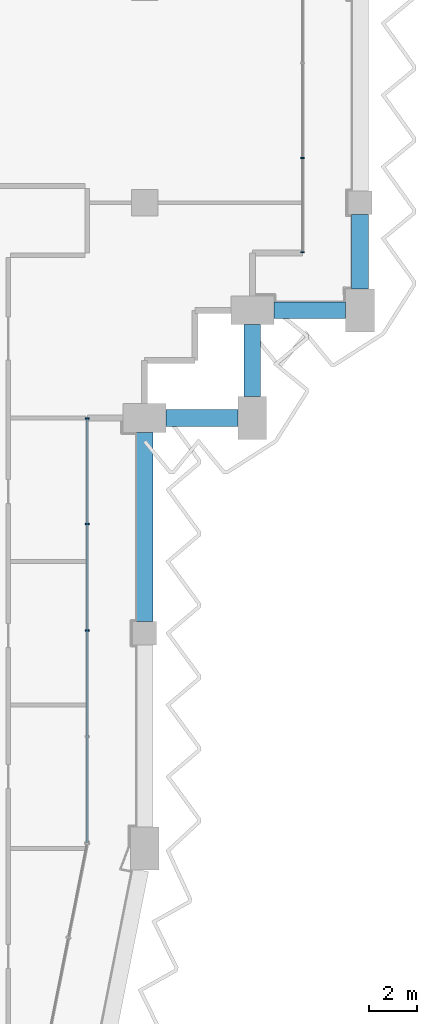
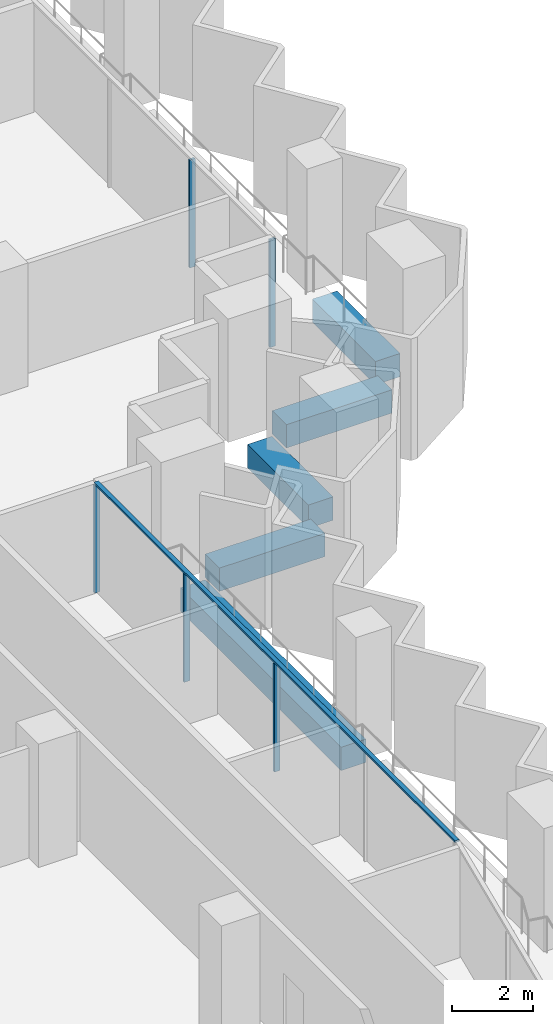
# One storey, part 4 of 17: 6 members, 5 beams, 2 elements without a shape of their own.
"""IFC4 building model written with IfcOpenShell, lengths in metres."""

from ifc_helpers import new_model, si_unit, direction, frame, origin, origin_2d, place, context, subcontext, project, spatial, rectangle, extrude, material, material_profile, profile_set, type_object, element, aggregate, save


model = new_model("IFC4")

# Units and contexts
model_context = context("Model", 3, precision=1e-05, world=origin(), true_north=direction((0.0, 1.0)))
body_context = subcontext(model_context, "Body", "Model", "MODEL_VIEW")
ifc_project = project(units=[si_unit("LENGTHUNIT", "METRE"), si_unit("AREAUNIT", "SQUARE_METRE"), si_unit("VOLUMEUNIT", "CUBIC_METRE"), si_unit("PLANEANGLEUNIT", "RADIAN"), si_unit("MASSUNIT", "GRAM", prefix="KILO")], contexts=[model_context])

# Site, building, storey
site_placement = place(None, origin())
site = spatial("IfcSite", under=ifc_project, at=site_placement, CompositionType="ELEMENT")
building_placement = place(site_placement, origin())
building = spatial("IfcBuilding", under=site, at=building_placement, Name="Hunhe Ridgeline Campus", CompositionType="ELEMENT")
storey_placement = place(building_placement, frame((0.0, 0.0, 201.300048828125)))
storey = spatial("IfcBuildingStorey", under=building, at=storey_placement, Name="L51", CompositionType="ELEMENT", Elevation=201.300048828125)

# Curtain wall, members
ifc_material_1 = material(Name="Aluminium 6063", Category="aluminium")
curtain_wall_type = type_object("IfcCurtainWallType", Name="Curtain wall CW-1", PredefinedType="NOTDEFINED", material=ifc_material_1)
curtain_wall_1_placement = place(storey_placement, origin())
curtain_wall_1 = element("IfcCurtainWall", 1, at=curtain_wall_1_placement, inside=storey, type_object=curtain_wall_type, Name="Curtain wall 11", PredefinedType="NOTDEFINED")
ifc_material_profile_1 = material_profile(ifc_material_1, rectangle(XDim=0.159912109375, YDim=0.06005859375, at=origin_2d()))
ifc_profile_set_1 = profile_set([ifc_material_profile_1], Name="Aluminium 6063")
member_type_1 = type_object("IfcMemberType", Name="CW-1 aluminium mullion", PredefinedType="MULLION", material=ifc_profile_set_1)
member_1_placement = place(storey_placement, frame((42.59912109375, 45.118408203125, 0.0), z_axis=(0.0, 0.0, 1.0), x_axis=(-0.999999999978, 6.642653e-06, 0.0)))
member_1 = element("IfcMember", 2, at=member_1_placement, type_object=member_type_1, Name="CW-1 mullion 3", PredefinedType="MULLION", context=body_context, shape_type="SweptSolid", body=[
    extrude(rectangle(XDim=0.159912109375, YDim=0.06005859375, at=origin_2d()), origin(), (0.0, 0.0, 1.0), 3.239990234375),
])
member_2_placement = place(storey_placement, frame((42.59912109375, 49.5595703125, 0.0), z_axis=(0.0, 0.0, 1.0), x_axis=(-0.999999999978, 6.642653e-06, 0.0)))
member_2 = element("IfcMember", 3, at=member_2_placement, type_object=member_type_1, Name="CW-1 mullion 4", PredefinedType="MULLION", context=body_context, shape_type="SweptSolid", body=[
    extrude(rectangle(XDim=0.159912109375, YDim=0.06005859375, at=origin_2d()), origin(), (0.0, 0.0, 1.0), 3.239990234375),
])
member_3_placement = place(storey_placement, frame((42.59912109375, 53.970458984375, 0.0), z_axis=(0.0, 0.0, 1.0), x_axis=(-0.999999999978, 6.642653e-06, 0.0)))
member_3 = element("IfcMember", 4, at=member_3_placement, type_object=member_type_1, Name="CW-1 mullion 5", PredefinedType="MULLION", context=body_context, shape_type="SweptSolid", body=[
    extrude(rectangle(XDim=0.159912109375, YDim=0.06005859375, at=origin_2d()), origin(), (0.0, 0.0, 1.0), 3.239990234375),
])

curtain_wall_2_placement = place(storey_placement, origin())
curtain_wall_2 = element("IfcCurtainWall", 5, at=curtain_wall_2_placement, inside=storey, type_object=curtain_wall_type, Name="Curtain wall 12", PredefinedType="NOTDEFINED")
member_4_placement = place(storey_placement, frame((51.59912109375, 60.930908203125, 0.0), z_axis=(0.0, 0.0, 1.0), x_axis=(-1.0, 0.0, 0.0)))
member_4 = element("IfcMember", 6, at=member_4_placement, type_object=member_type_1, Name="CW-1 mullion 1", PredefinedType="MULLION", context=body_context, shape_type="SweptSolid", body=[
    extrude(rectangle(XDim=0.159912109375, YDim=0.06005859375, at=origin_2d()), origin(), (0.0, 0.0, 1.0), 3.239990234375),
])
member_5_placement = place(storey_placement, frame((51.59912109375, 64.8759765625, 0.0), z_axis=(0.0, 0.0, 1.0), x_axis=(-1.0, 0.0, 0.0)))
member_5 = element("IfcMember", 7, at=member_5_placement, type_object=member_type_1, Name="CW-1 mullion 2", PredefinedType="MULLION", context=body_context, shape_type="SweptSolid", body=[
    extrude(rectangle(XDim=0.159912109375, YDim=0.06005859375, at=origin_2d()), origin(), (0.0, 0.0, 1.0), 3.239990234375),
])
aggregate(curtain_wall_2, [member_4, member_5])

# Member
ifc_material_profile_2 = material_profile(ifc_material_1, rectangle(XDim=0.1201171875, YDim=0.06005859375, at=origin_2d()))
ifc_profile_set_2 = profile_set([ifc_material_profile_2], Name="Aluminium 6063")
member_type_2 = type_object("IfcMemberType", Name="CW-1 aluminium transom", PredefinedType="USERDEFINED", material=ifc_profile_set_2)
member_6_placement = place(storey_placement, frame((42.59912109375, 36.236572265625, 3.27001953125), z_axis=(0.0, 1.0, 0.0), x_axis=(-1.0, 0.0, 0.0)))
member_6 = element("IfcMember", 8, at=member_6_placement, type_object=member_type_2, Name="CW-1 transom 1", ObjectType="TRANSOM", PredefinedType="USERDEFINED", context=body_context, shape_type="SweptSolid", body=[
    extrude(rectangle(XDim=0.1201171875, YDim=0.06005859375, at=origin_2d()), origin(), (0.0, 0.0, 1.0), 17.763916015625),
])

aggregate(curtain_wall_1, [member_6, member_1, member_2, member_3])

# Beams
ifc_material_2 = material(Name="Concrete C50", Category="concrete")
ifc_material_profile_3 = material_profile(ifc_material_2, rectangle(XDim=0.699951171875, YDim=0.699951171875, at=origin_2d()))
ifc_profile_set_3 = profile_set([ifc_material_profile_3], Name="Concrete C50")
beam_type = type_object("IfcBeamType", Name="RC spandrel beam 700x700 Concrete C50", PredefinedType="SPANDREL", material=ifc_profile_set_3)
beam_1_placement = place(storey_placement, frame((45.0, 45.5, -0.60009765625), z_axis=(0.0, 1.0, 0.0), x_axis=(-1.0, 0.0, 0.0)))
element("IfcBeam", 9, at=beam_1_placement, inside=storey, type_object=beam_type, Name="Spandrel beam B3-10 L51", PredefinedType="SPANDREL", context=body_context, shape_type="SweptSolid", body=[
    extrude(rectangle(XDim=0.699951171875, YDim=0.699951171875, at=origin_2d()), origin(), (0.0, 0.0, 1.0), 7.89990234375),
])
for number, where, z_axis, x_axis, name in (
    (10, (45.89990234375, 54.0, -0.60009765625), (1.0, 0.0, 0.0), (0.0, 1.0, 0.0), "Spandrel beam B3-11 L51"),
    (11, (49.5, 54.89990234375, -0.60009765625), (0.0, 1.0, 0.0), (-1.0, 0.0, 0.0), "Spandrel beam B3-12 L51"),
    (12, (50.39990234375, 58.5, -0.60009765625), (1.0, 0.0, 0.0), (0.0, 1.0, 0.0), "Spandrel beam B3-13 L51"),
):
    element("IfcBeam", number, at=place(storey_placement, frame(where, z_axis=z_axis, x_axis=x_axis)), inside=storey, type_object=beam_type, Name=name, PredefinedType="SPANDREL", context=body_context, shape_type="SweptSolid", body=[
        extrude(rectangle(XDim=0.699951171875, YDim=0.699951171875, at=origin_2d()), origin(), (0.0, 0.0, 1.0), 3.0),
    ])
beam_2_placement = place(storey_placement, frame((54.0, 59.39990234375, -0.60009765625), z_axis=(0.0, 1.0, 0.0), x_axis=(-1.0, 0.0, 0.0)))
element("IfcBeam", 13, at=beam_2_placement, inside=storey, type_object=beam_type, Name="Spandrel beam B3-14 L51", PredefinedType="SPANDREL", context=body_context, shape_type="SweptSolid", body=[
    extrude(rectangle(XDim=0.699951171875, YDim=0.699951171875, at=origin_2d()), origin(), (0.0, 0.0, 1.0), 3.10009765625),
])

save(model, "model.ifc")
